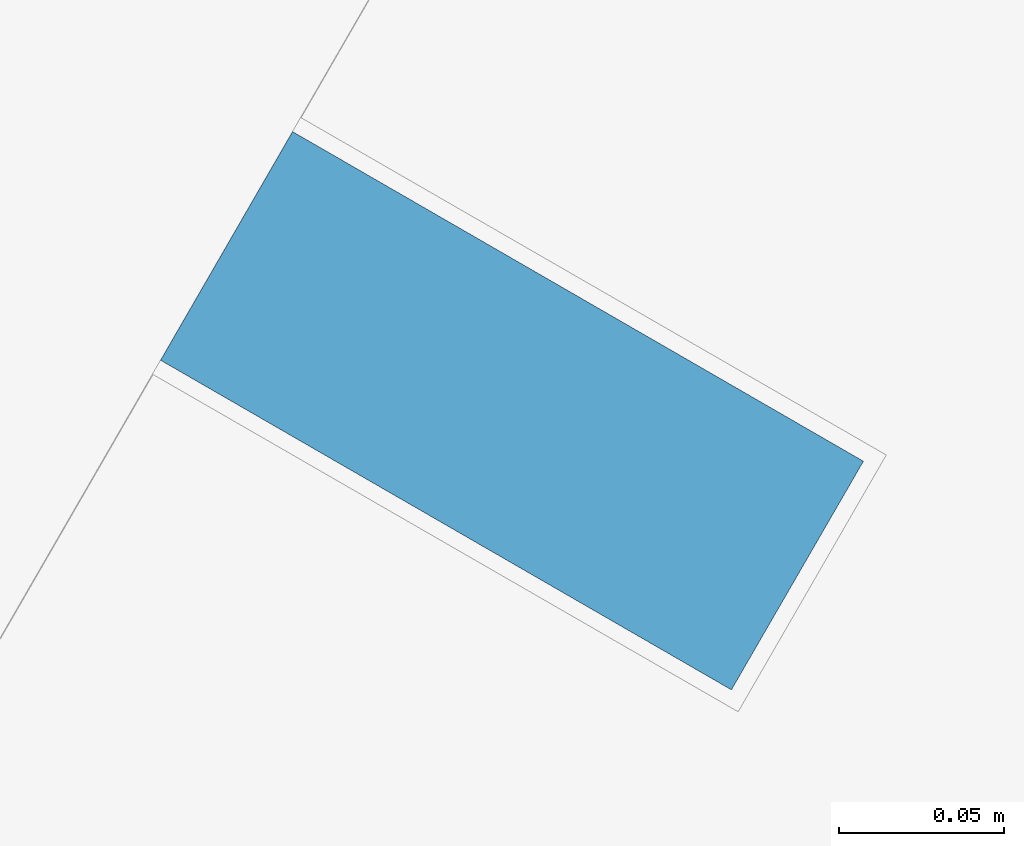
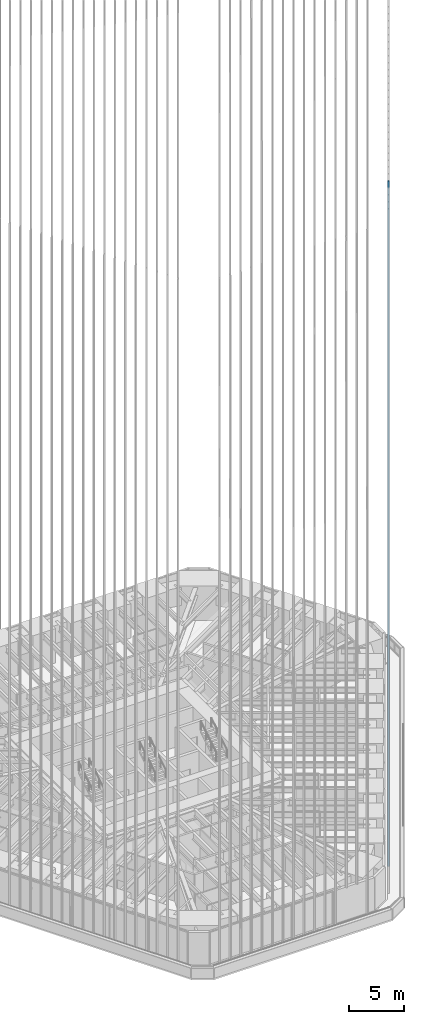
# One storey, part 74 of 238: 1 member, 1 element without a shape of its own.
"""IFC4 building model written with IfcOpenShell, lengths in metres."""

from ifc_helpers import new_model, si_unit, direction, frame, origin, origin_2d, place, context, subcontext, project, spatial, rectangle, extrude, material, material_profile, profile_set, type_object, element, aggregate, save


model = new_model("IFC4")

# Units and contexts
model_context = context("Model", 3, precision=1e-05, world=origin(), true_north=direction((0.0, 1.0)))
body_context = subcontext(model_context, "Body", "Model", "MODEL_VIEW")
ifc_project = project(units=[si_unit("LENGTHUNIT", "METRE"), si_unit("AREAUNIT", "SQUARE_METRE"), si_unit("VOLUMEUNIT", "CUBIC_METRE"), si_unit("PLANEANGLEUNIT", "RADIAN"), si_unit("MASSUNIT", "GRAM", prefix="KILO")], contexts=[model_context])

# Site, building, storey
site_placement = place(None, origin())
site = spatial("IfcSite", under=ifc_project, at=site_placement, CompositionType="ELEMENT")
building_placement = place(site_placement, origin())
building = spatial("IfcBuilding", under=site, at=building_placement, Name="Sandreach Pilgrim Tower", CompositionType="ELEMENT")
storey_placement = place(building_placement, frame((0.0, 0.0, 96.800048828125)))
storey = spatial("IfcBuildingStorey", under=building, at=storey_placement, Name="L23", CompositionType="ELEMENT", Elevation=96.800048828125)

# Curtain wall, member
ifc_material_1 = material(Name="Aluminium framed curtain wall", Category="aluminium")
curtain_wall_type = type_object("IfcCurtainWallType", Name="Hotel tower curtain wall", PredefinedType="NOTDEFINED", material=ifc_material_1)
curtain_wall_placement = place(storey_placement, origin())
curtain_wall = element("IfcCurtainWall", 1, at=curtain_wall_placement, inside=storey, type_object=curtain_wall_type, Name="CW-2 L23 SE", PredefinedType="NOTDEFINED")
ifc_material_2 = material(Name="Extruded terracotta on aluminium core", Category="masonry")
ifc_material_profile = material_profile(ifc_material_2, rectangle(XDim=0.080078125, YDim=0.199951171875, at=origin_2d()), Name="TBE 80X200")
ifc_profile_set = profile_set([ifc_material_profile], Name="Extruded terracotta on aluminium core")
member_type = type_object("IfcMemberType", Name="Terracotta baguette east", PredefinedType="USERDEFINED", material=ifc_profile_set)
member_placement = place(storey_placement, frame((13.22216796875, -22.885986328125, 0.0), z_axis=(0.0, 0.0, 1.0), x_axis=(-0.5, -0.866025403784, 0.0)))
member = element("IfcMember", 2, at=member_placement, type_object=member_type, Name="Baguette Z2 SE29", ObjectType="BAGUETTE", PredefinedType="USERDEFINED", context=body_context, shape_type="SweptSolid", body=[
    extrude(rectangle(XDim=0.080078125, YDim=0.199951171875, at=origin_2d()), origin(), (0.0, 0.0, 1.0), 75.83984375),
])
aggregate(curtain_wall, [member])

save(model, "model.ifc")
